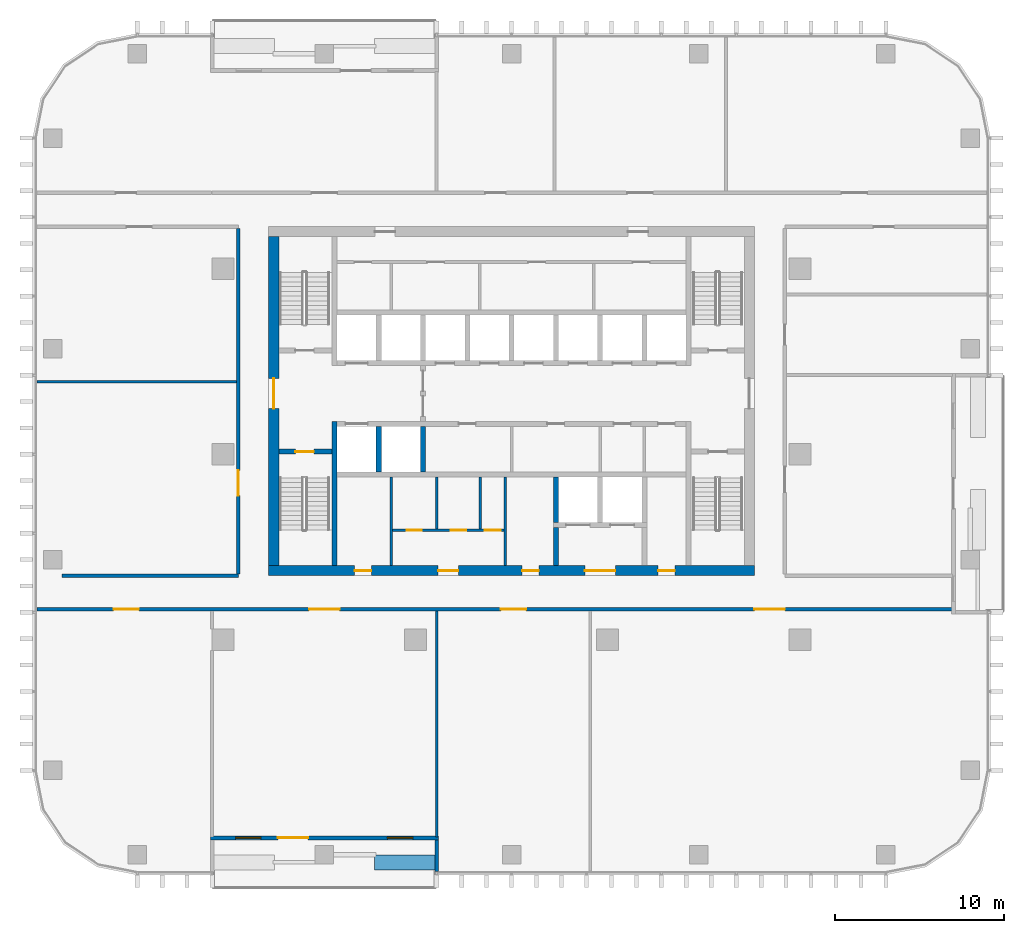
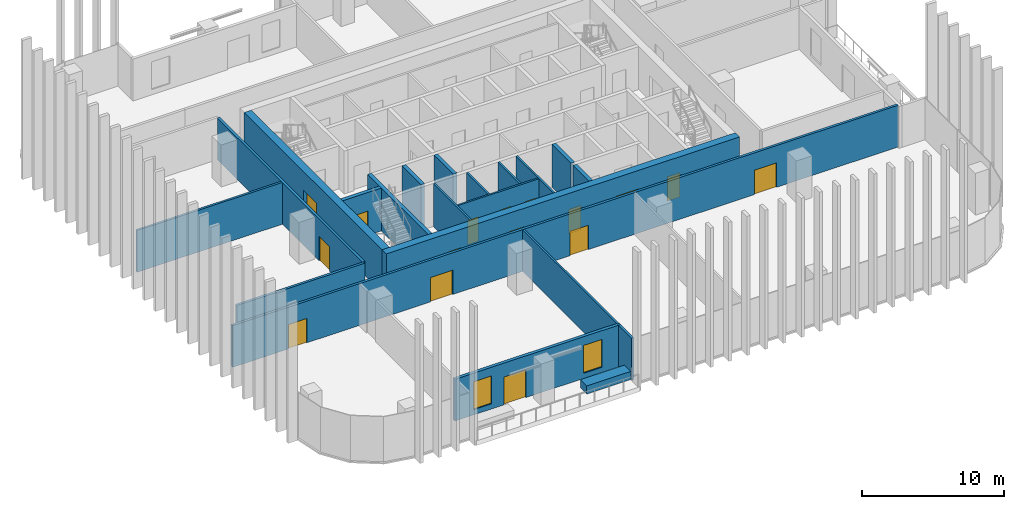
# One storey, part 7 of 15: 21 walls, 16 doors, 2 windows, 18 openings.
"""IFC4 building model written with IfcOpenShell, lengths in metres."""

from ifc_helpers import new_model, si_unit, direction, frame, frame_2d, origin, place, context, subcontext, project, spatial, rectangle, extrude, material, layer, layer_set, type_object, element, fill, save


model = new_model("IFC4")

# Units and contexts
model_context = context("Model", 3, precision=1e-05, world=origin(), true_north=direction((0.0, 1.0)))
body_context = subcontext(model_context, "Body", "Model", "MODEL_VIEW")
ifc_project = project(units=[si_unit("LENGTHUNIT", "METRE"), si_unit("AREAUNIT", "SQUARE_METRE"), si_unit("VOLUMEUNIT", "CUBIC_METRE"), si_unit("PLANEANGLEUNIT", "RADIAN"), si_unit("MASSUNIT", "GRAM", prefix="KILO")], contexts=[model_context])

# Site, building, storey
site_placement = place(None, origin())
site = spatial("IfcSite", under=ifc_project, at=site_placement, CompositionType="ELEMENT")
building_placement = place(site_placement, origin())
building = spatial("IfcBuilding", under=site, at=building_placement, Name="Mopane Tessera Tower", CompositionType="ELEMENT")
storey_placement = place(building_placement, frame((0.0, 0.0, 211.0)))
storey = spatial("IfcBuildingStorey", under=building, at=storey_placement, Name="L44", CompositionType="ELEMENT", Elevation=211.0)

# Wall
ifc_material_1 = material(Name="Fire-rated gypsum board partition")
ifc_layer_1 = layer(ifc_material_1, 0.14990234375)
ifc_layer_set_1 = layer_set([ifc_layer_1], Name="Fire-rated gypsum board partition")
wall_type_1 = type_object("IfcWallType", Name="Core room partition 150 mm", PredefinedType="PARTITIONING", material=ifc_layer_set_1)
wall_1_placement = place(storey_placement, frame((-7.125, -6.60009765625, 0.0), z_axis=(0.0, 0.0, 1.0), x_axis=(0.0, 1.0, 0.0)))
element("IfcWall", 1, at=wall_1_placement, inside=storey, type_object=wall_type_1, Name="L44 Room partition", PredefinedType="PARTITIONING", context=body_context, shape_type="SweptSolid", body=[
    extrude(rectangle(XDim=5.25, YDim=0.14990234375, at=frame_2d((2.625, 0.0))), origin(), (0.0, 0.0, 1.0), 3.699951171875),
])

# Wall, openings, doors
wall_2_placement = place(storey_placement, frame((-7.050048828125, -4.5, 0.0), z_axis=(0.0, 0.0, 1.0), x_axis=(1.0, 0.0, 0.0)))
wall_2 = element("IfcWall", 2, at=wall_2_placement, inside=storey, type_object=wall_type_1, Name="L44 WC partition", PredefinedType="PARTITIONING", context=body_context, shape_type="SweptSolid", body=[
    extrude(rectangle(XDim=6.60009765625, YDim=0.14990234375, at=frame_2d((3.300048828125, 0.0))), origin(), (0.0, 0.0, 1.0), 3.699951171875),
])
opening_1_placement = place(wall_2_placement, frame((0.824951171875, 0.0, 0.0)))
opening_1 = element("IfcOpeningElement", 3, at=opening_1_placement, cuts=wall_2, Name="Opening WD1", PredefinedType="OPENING", context=body_context, shape_type="SweptSolid", body=[
    extrude(rectangle(XDim=0.89990234375, YDim=2.10009765625, at=frame_2d((0.449951171875, 1.050048828125))), frame((0.0, 0.0869140625, 0.0), z_axis=(0.0, -1.0, 0.0), x_axis=(1.0, 0.0, 0.0)), (0.0, 0.0, 1.0), 0.173828125),
])
opening_2_placement = place(wall_2_placement, frame((3.45751953125, 0.0, 0.0)))
opening_2 = element("IfcOpeningElement", 4, at=opening_2_placement, cuts=wall_2, Name="Opening WD1", PredefinedType="OPENING", context=body_context, shape_type="SweptSolid", body=[
    extrude(rectangle(XDim=0.89990234375, YDim=2.10009765625, at=frame_2d((0.449951171875, 1.050048828125))), frame((0.0, 0.0869140625, 0.0), z_axis=(0.0, -1.0, 0.0), x_axis=(1.0, 0.0, 0.0)), (0.0, 0.0, 1.0), 0.173828125),
])
opening_3_placement = place(wall_2_placement, frame((5.45751953125, 0.0, 0.0)))
opening_3 = element("IfcOpeningElement", 5, at=opening_3_placement, cuts=wall_2, Name="Opening WD2", PredefinedType="OPENING", context=body_context, shape_type="SweptSolid", body=[
    extrude(rectangle(XDim=0.949951171875, YDim=2.10009765625, at=frame_2d((0.47509765625, 1.050048828125))), frame((0.0, 0.0869140625, 0.0), z_axis=(0.0, -1.0, 0.0), x_axis=(1.0, 0.0, 0.0)), (0.0, 0.0, 1.0), 0.173828125),
])
ifc_material_2 = material(Name="Timber door", Category="wood")
door_type_1 = type_object("IfcDoorType", Name="Accessible WC door 950 x 2100", OperationType="SINGLE_SWING_LEFT", PredefinedType="DOOR", material=ifc_material_2)
door_1_placement = place(opening_3_placement, origin())
door_1 = element("IfcDoor", 6, at=door_1_placement, inside=storey, type_object=door_type_1, Name="L44 Accessible WC door", OperationType="SINGLE_SWING_LEFT", OverallHeight=2.10009765625, OverallWidth=0.949951171875, PredefinedType="DOOR", context=body_context, shape_type="SweptSolid", body=[
    extrude(rectangle(XDim=0.949951171875, YDim=2.10009765625, at=frame_2d((0.47509765625, 1.050048828125))), frame((0.0, 0.02490234375, 0.0), z_axis=(0.0, -1.0, 0.0), x_axis=(1.0, 0.0, 0.0)), (0.0, 0.0, 1.0), 0.050048828125),
])
fill(opening_3, door_1)
ifc_material_3 = material(Name="Timber door", Category="wood")
door_type_2 = type_object("IfcDoorType", Name="WC cubicle door 900 x 2100", OperationType="SINGLE_SWING_LEFT", PredefinedType="DOOR", material=ifc_material_3)
door_2_placement = place(opening_1_placement, origin())
door_2 = element("IfcDoor", 7, at=door_2_placement, inside=storey, type_object=door_type_2, Name="L44 Men's WC door", OperationType="SINGLE_SWING_LEFT", OverallHeight=2.10009765625, OverallWidth=0.89990234375, PredefinedType="DOOR", context=body_context, shape_type="SweptSolid", body=[
    extrude(rectangle(XDim=0.89990234375, YDim=2.10009765625, at=frame_2d((0.449951171875, 1.050048828125))), frame((0.0, 0.02490234375, 0.0), z_axis=(0.0, -1.0, 0.0), x_axis=(1.0, 0.0, 0.0)), (0.0, 0.0, 1.0), 0.050048828125),
])
fill(opening_1, door_2)
door_3_placement = place(opening_2_placement, origin())
door_3 = element("IfcDoor", 8, at=door_3_placement, inside=storey, type_object=door_type_2, Name="L44 Women's WC door", OperationType="SINGLE_SWING_LEFT", OverallHeight=2.10009765625, OverallWidth=0.89990234375, PredefinedType="DOOR", context=body_context, shape_type="SweptSolid", body=[
    extrude(rectangle(XDim=0.89990234375, YDim=2.10009765625, at=frame_2d((0.449951171875, 1.050048828125))), frame((0.0, 0.02490234375, 0.0), z_axis=(0.0, -1.0, 0.0), x_axis=(1.0, 0.0, 0.0)), (0.0, 0.0, 1.0), 0.050048828125),
])
fill(opening_2, door_3)

# Walls
for number, where, z_axis, x_axis, name in (
    (9, (-4.425048828125, -4.425048828125, 0.0), (0.0, 0.0, 1.0), (0.0, 1.0, 0.0), "L44 WC partition"),
    (10, (-1.860107421875, -4.425048828125, 0.0), (0.0, 0.0, 1.0), (0.0, 1.0, 0.0), "L44 WC partition"),
):
    element("IfcWall", number, at=place(storey_placement, frame(where, z_axis=z_axis, x_axis=x_axis)), inside=storey, type_object=wall_type_1, Name=name, PredefinedType="PARTITIONING", context=body_context, shape_type="SweptSolid", body=[
        extrude(rectangle(XDim=3.074951171875, YDim=0.14990234375, at=frame_2d((1.53759765625, 0.0))), origin(), (0.0, 0.0, 1.0), 3.699951171875),
    ])
wall_3_placement = place(storey_placement, frame((-0.375, -6.60009765625, 0.0), z_axis=(0.0, 0.0, 1.0), x_axis=(0.0, 1.0, 0.0)))
element("IfcWall", 11, at=wall_3_placement, inside=storey, type_object=wall_type_1, Name="L44 Room partition", PredefinedType="PARTITIONING", context=body_context, shape_type="SweptSolid", body=[
    extrude(rectangle(XDim=5.25, YDim=0.14990234375, at=frame_2d((2.625, 0.0))), origin(), (0.0, 0.0, 1.0), 3.699951171875),
])

# Wall, openings, doors
ifc_material_4 = material(Name="Concrete C70/85", Category="concrete")
ifc_layer_2 = layer(ifc_material_4, 0.60009765625)
ifc_layer_set_2 = layer_set([ifc_layer_2], Name="Concrete C70/85")
wall_type_2 = type_object("IfcWallType", Name="Core shear wall 600 mm", PredefinedType="SHEAR", material=ifc_layer_set_2)
wall_4_placement = place(storey_placement, frame((-14.39990234375, -6.89990234375, 0.0), z_axis=(0.0, 0.0, 1.0), x_axis=(1.0, 0.0, 0.0)))
wall_4 = element("IfcWall", 12, at=wall_4_placement, inside=storey, type_object=wall_type_2, Name="L44 Core wall south", PredefinedType="SHEAR", context=body_context, shape_type="SweptSolid", body=[
    extrude(rectangle(XDim=28.7998046875, YDim=0.60009765625, at=frame_2d((14.39990234375, 0.0))), origin(), (0.0, 0.0, 1.0), 3.699951171875),
])
opening_4_placement = place(wall_4_placement, frame((5.08740234375, 0.0, 0.0)))
opening_4 = element("IfcOpeningElement", 13, at=opening_4_placement, cuts=wall_4, Name="Opening RD1", PredefinedType="OPENING", context=body_context, shape_type="SweptSolid", body=[
    extrude(rectangle(XDim=1.0, YDim=2.10009765625, at=frame_2d((0.5, 1.050048828125))), frame((0.0, 0.31201171875, 0.0), z_axis=(0.0, -1.0, 0.0), x_axis=(1.0, 0.0, 0.0)), (0.0, 0.0, 1.0), 0.6240234375),
])
opening_5_placement = place(wall_4_placement, frame((10.050048828125, 0.0, 0.0)))
opening_5 = element("IfcOpeningElement", 14, at=opening_5_placement, cuts=wall_4, Name="Opening WD3", PredefinedType="OPENING", context=body_context, shape_type="SweptSolid", body=[
    extrude(rectangle(XDim=1.199951171875, YDim=2.10009765625, at=frame_2d((0.60009765625, 1.050048828125))), frame((0.0, 0.31201171875, 0.0), z_axis=(0.0, -1.0, 0.0), x_axis=(1.0, 0.0, 0.0)), (0.0, 0.0, 1.0), 0.6240234375),
])
opening_6_placement = place(wall_4_placement, frame((15.02490234375, 0.0, 0.0)))
opening_6 = element("IfcOpeningElement", 15, at=opening_6_placement, cuts=wall_4, Name="Opening RD1", PredefinedType="OPENING", context=body_context, shape_type="SweptSolid", body=[
    extrude(rectangle(XDim=1.0, YDim=2.10009765625, at=frame_2d((0.5, 1.050048828125))), frame((0.0, 0.31201171875, 0.0), z_axis=(0.0, -1.0, 0.0), x_axis=(1.0, 0.0, 0.0)), (0.0, 0.0, 1.0), 0.6240234375),
])
opening_7_placement = place(wall_4_placement, frame((18.75, 0.0, 0.0)))
opening_7 = element("IfcOpeningElement", 16, at=opening_7_placement, cuts=wall_4, Name="Opening SD2", PredefinedType="OPENING", context=body_context, shape_type="SweptSolid", body=[
    extrude(rectangle(XDim=1.800048828125, YDim=2.10009765625, at=frame_2d((0.89990234375, 1.050048828125))), frame((0.0, 0.31201171875, 0.0), z_axis=(0.0, -1.0, 0.0), x_axis=(1.0, 0.0, 0.0)), (0.0, 0.0, 1.0), 0.6240234375),
])
opening_8_placement = place(wall_4_placement, frame((23.08740234375, 0.0, 0.0)))
opening_8 = element("IfcOpeningElement", 17, at=opening_8_placement, cuts=wall_4, Name="Opening RD1", PredefinedType="OPENING", context=body_context, shape_type="SweptSolid", body=[
    extrude(rectangle(XDim=1.0, YDim=2.10009765625, at=frame_2d((0.5, 1.050048828125))), frame((0.0, 0.31201171875, 0.0), z_axis=(0.0, -1.0, 0.0), x_axis=(1.0, 0.0, 0.0)), (0.0, 0.0, 1.0), 0.6240234375),
])
ifc_material_5 = material(Name="Steel fire door", Category="steel")
door_type_3 = type_object("IfcDoorType", Name="Core entrance double door 1800 x 2100", OperationType="DOUBLE_DOOR_SINGLE_SWING", PredefinedType="DOOR", material=ifc_material_5)
door_4_placement = place(opening_7_placement, origin())
door_4 = element("IfcDoor", 18, at=door_4_placement, inside=storey, type_object=door_type_3, Name="L44 Service lobby door", OperationType="DOUBLE_DOOR_SINGLE_SWING", OverallHeight=2.10009765625, OverallWidth=1.800048828125, PredefinedType="DOOR", context=body_context, shape_type="SweptSolid", body=[
    extrude(rectangle(XDim=1.800048828125, YDim=2.10009765625, at=frame_2d((0.89990234375, 1.050048828125))), frame((0.0, 0.02490234375, 0.0), z_axis=(0.0, -1.0, 0.0), x_axis=(1.0, 0.0, 0.0)), (0.0, 0.0, 1.0), 0.050048828125),
])
fill(opening_7, door_4)
ifc_material_6 = material(Name="Timber door", Category="wood")
door_type_4 = type_object("IfcDoorType", Name="Core room door 1000 x 2100", OperationType="SINGLE_SWING_LEFT", PredefinedType="DOOR", material=ifc_material_6)
door_5_placement = place(opening_4_placement, origin())
door_5 = element("IfcDoor", 19, at=door_5_placement, inside=storey, type_object=door_type_4, Name="L44 Room door", OperationType="SINGLE_SWING_LEFT", OverallHeight=2.10009765625, OverallWidth=1.0, PredefinedType="DOOR", context=body_context, shape_type="SweptSolid", body=[
    extrude(rectangle(XDim=1.0, YDim=2.10009765625, at=frame_2d((0.5, 1.050048828125))), frame((0.0, 0.02490234375, 0.0), z_axis=(0.0, -1.0, 0.0), x_axis=(1.0, 0.0, 0.0)), (0.0, 0.0, 1.0), 0.050048828125),
])
fill(opening_4, door_5)
door_6_placement = place(opening_6_placement, origin())
door_6 = element("IfcDoor", 20, at=door_6_placement, inside=storey, type_object=door_type_4, Name="L44 Room door", OperationType="SINGLE_SWING_LEFT", OverallHeight=2.10009765625, OverallWidth=1.0, PredefinedType="DOOR", context=body_context, shape_type="SweptSolid", body=[
    extrude(rectangle(XDim=1.0, YDim=2.10009765625, at=frame_2d((0.5, 1.050048828125))), frame((0.0, 0.02490234375, 0.0), z_axis=(0.0, -1.0, 0.0), x_axis=(1.0, 0.0, 0.0)), (0.0, 0.0, 1.0), 0.050048828125),
])
fill(opening_6, door_6)
door_7_placement = place(opening_8_placement, origin())
door_7 = element("IfcDoor", 21, at=door_7_placement, inside=storey, type_object=door_type_4, Name="L44 Room door", OperationType="SINGLE_SWING_LEFT", OverallHeight=2.10009765625, OverallWidth=1.0, PredefinedType="DOOR", context=body_context, shape_type="SweptSolid", body=[
    extrude(rectangle(XDim=1.0, YDim=2.10009765625, at=frame_2d((0.5, 1.050048828125))), frame((0.0, 0.02490234375, 0.0), z_axis=(0.0, -1.0, 0.0), x_axis=(1.0, 0.0, 0.0)), (0.0, 0.0, 1.0), 0.050048828125),
])
fill(opening_8, door_7)
ifc_material_7 = material(Name="Timber door", Category="wood")
door_type_5 = type_object("IfcDoorType", Name="WC lobby door 1200 x 2100", OperationType="SINGLE_SWING_LEFT", PredefinedType="DOOR", material=ifc_material_7)
door_8_placement = place(opening_5_placement, origin())
door_8 = element("IfcDoor", 22, at=door_8_placement, inside=storey, type_object=door_type_5, Name="L44 WC lobby door", OperationType="SINGLE_SWING_LEFT", OverallHeight=2.10009765625, OverallWidth=1.199951171875, PredefinedType="DOOR", context=body_context, shape_type="SweptSolid", body=[
    extrude(rectangle(XDim=1.199951171875, YDim=2.10009765625, at=frame_2d((0.60009765625, 1.050048828125))), frame((0.0, 0.02490234375, 0.0), z_axis=(0.0, -1.0, 0.0), x_axis=(1.0, 0.0, 0.0)), (0.0, 0.0, 1.0), 0.050048828125),
])
fill(opening_5, door_8)

# Wall, opening, door
wall_5_placement = place(storey_placement, frame((-14.10009765625, -6.60009765625, 0.0), z_axis=(0.0, 0.0, 1.0), x_axis=(0.0, 1.0, 0.0)))
wall_5 = element("IfcWall", 23, at=wall_5_placement, inside=storey, type_object=wall_type_2, Name="L44 Core wall west", PredefinedType="SHEAR", context=body_context, shape_type="SweptSolid", body=[
    extrude(rectangle(XDim=19.5, YDim=0.60009765625, at=frame_2d((9.75, 0.0))), origin(), (0.0, 0.0, 1.0), 3.699951171875),
])
opening_9_placement = place(wall_5_placement, frame((9.300048828125, 0.0, 0.0)))
opening_9 = element("IfcOpeningElement", 24, at=opening_9_placement, cuts=wall_5, Name="Opening SD2", PredefinedType="OPENING", context=body_context, shape_type="SweptSolid", body=[
    extrude(rectangle(XDim=1.800048828125, YDim=2.10009765625, at=frame_2d((0.89990234375, 1.050048828125))), frame((0.0, 0.31201171875, 0.0), z_axis=(0.0, -1.0, 0.0), x_axis=(1.0, 0.0, 0.0)), (0.0, 0.0, 1.0), 0.6240234375),
])
door_9_placement = place(opening_9_placement, origin())
door_9 = element("IfcDoor", 25, at=door_9_placement, inside=storey, type_object=door_type_3, Name="L44 Core entrance door west", OperationType="DOUBLE_DOOR_SINGLE_SWING", OverallHeight=2.10009765625, OverallWidth=1.800048828125, PredefinedType="DOOR", context=body_context, shape_type="SweptSolid", body=[
    extrude(rectangle(XDim=1.800048828125, YDim=2.10009765625, at=frame_2d((0.89990234375, 1.050048828125))), frame((0.0, 0.02490234375, 0.0), z_axis=(0.0, -1.0, 0.0), x_axis=(1.0, 0.0, 0.0)), (0.0, 0.0, 1.0), 0.050048828125),
])
fill(opening_9, door_9)

# Walls
ifc_material_8 = material(Name="Concrete C60/75", Category="concrete")
ifc_layer_3 = layer(ifc_material_8, 0.300048828125)
ifc_layer_set_3 = layer_set([ifc_layer_3], Name="Concrete C60/75")
wall_type_3 = type_object("IfcWallType", Name="Core spine wall 300 mm", PredefinedType="SHEAR", material=ifc_layer_set_3)
wall_6_placement = place(storey_placement, frame((-10.5, -6.60009765625, 0.0), z_axis=(0.0, 0.0, 1.0), x_axis=(0.0, 1.0, 0.0)))
element("IfcWall", 26, at=wall_6_placement, inside=storey, type_object=wall_type_3, Name="L44 Core spine wall", PredefinedType="SHEAR", context=body_context, shape_type="SweptSolid", body=[
    extrude(rectangle(XDim=8.550048828125, YDim=0.300048828125, at=frame_2d((4.27490234375, 0.0))), origin(), (0.0, 0.0, 1.0), 3.699951171875),
])
ifc_material_9 = material(Name="Gypsum board on staggered steel studs, double layer each face, acoustic mineral wool infill", Category="steel")
ifc_layer_4 = layer(ifc_material_9, 0.175048828125)
ifc_layer_set_4 = layer_set([ifc_layer_4], Name="Gypsum board on staggered steel studs, double layer each face, acoustic mineral wool infill")
wall_type_4 = type_object("IfcWallType", Name="Gypsum board acoustic partition 175, rated EI 60", PredefinedType="PARTITIONING", material=ifc_layer_set_4)
wall_7_placement = place(storey_placement, frame((-28.14990234375, 4.300048828125, 0.0), z_axis=(0.0, 0.0, 1.0), x_axis=(1.0, 0.0, 0.0)))
element("IfcWall", 27, at=wall_7_placement, inside=storey, type_object=wall_type_4, Name="Partition L44:003", PredefinedType="PARTITIONING", context=body_context, shape_type="SweptSolid", body=[
    extrude(rectangle(XDim=11.849853515625, YDim=0.175048828125, at=frame_2d((5.9248046875, 0.0))), origin(), (0.0, 0.0, 1.0), 3.60009765625),
])

# Wall, openings, doors
ifc_material_10 = material(Name="Gypsum board on steel studs, two layers each face, mineral wool infill", Category="steel")
ifc_layer_5 = layer(ifc_material_10, 0.199951171875)
ifc_layer_set_5 = layer_set([ifc_layer_5], Name="Gypsum board on steel studs, two layers each face, mineral wool infill")
wall_type_5 = type_object("IfcWallType", Name="Gypsum board corridor wall 200, rated EI 60", PredefinedType="PARTITIONING", material=ifc_layer_set_5)
wall_8_placement = place(storey_placement, frame((-28.14990234375, -9.199951171875, 0.0), z_axis=(0.0, 0.0, 1.0), x_axis=(1.0, 0.0, 0.0)))
wall_8 = element("IfcWall", 28, at=wall_8_placement, inside=storey, type_object=wall_type_5, Name="Partition L44:000", PredefinedType="PARTITIONING", context=body_context, shape_type="SweptSolid", body=[
    extrude(rectangle(XDim=54.2998046875, YDim=0.199951171875, at=frame_2d((27.14990234375, 0.0))), origin(), (0.0, 0.0, 1.0), 3.60009765625),
])
opening_10_placement = place(wall_8_placement, frame((42.554931640625, 0.0, 0.0)))
opening_10 = element("IfcOpeningElement", 29, at=opening_10_placement, cuts=wall_8, Name="Opening L44-04", PredefinedType="OPENING", context=body_context, shape_type="SweptSolid", body=[
    extrude(rectangle(XDim=1.800048828125, YDim=2.10009765625, at=frame_2d((0.89990234375, 1.050048828125))), frame((0.0, 0.112060546875, 0.0), z_axis=(0.0, -1.0, 0.0), x_axis=(1.0, 0.0, 0.0)), (0.0, 0.0, 1.0), 0.223876953125),
])
opening_11_placement = place(wall_8_placement, frame((27.510009765625, 0.0, 0.0)))
opening_11 = element("IfcOpeningElement", 30, at=opening_11_placement, cuts=wall_8, Name="Opening L44-07", PredefinedType="OPENING", context=body_context, shape_type="SweptSolid", body=[
    extrude(rectangle(XDim=1.5, YDim=2.10009765625, at=frame_2d((0.75, 1.050048828125))), frame((0.0, 0.112060546875, 0.0), z_axis=(0.0, -1.0, 0.0), x_axis=(1.0, 0.0, 0.0)), (0.0, 0.0, 1.0), 0.223876953125),
])
opening_12_placement = place(wall_8_placement, frame((16.14990234375, 0.0, 0.0)))
opening_12 = element("IfcOpeningElement", 31, at=opening_12_placement, cuts=wall_8, Name="Opening L44-08", PredefinedType="OPENING", context=body_context, shape_type="SweptSolid", body=[
    extrude(rectangle(XDim=1.800048828125, YDim=2.10009765625, at=frame_2d((0.89990234375, 1.050048828125))), frame((0.0, 0.112060546875, 0.0), z_axis=(0.0, -1.0, 0.0), x_axis=(1.0, 0.0, 0.0)), (0.0, 0.0, 1.0), 0.223876953125),
])
opening_13_placement = place(wall_8_placement, frame((4.544921875, 0.0, 0.0)))
opening_13 = element("IfcOpeningElement", 32, at=opening_13_placement, cuts=wall_8, Name="Opening L44-11", PredefinedType="OPENING", context=body_context, shape_type="SweptSolid", body=[
    extrude(rectangle(XDim=1.5, YDim=2.10009765625, at=frame_2d((0.75, 1.050048828125))), frame((0.0, 0.112060546875, 0.0), z_axis=(0.0, -1.0, 0.0), x_axis=(1.0, 0.0, 0.0)), (0.0, 0.0, 1.0), 0.223876953125),
])
ifc_material_11 = material(Name="Timber veneered steel-framed fire door", Category="steel")
door_type_6 = type_object("IfcDoorType", Name="Fire door pair FD60 1500 x 2100", OperationType="DOUBLE_DOOR_SINGLE_SWING", PredefinedType="DOOR", material=ifc_material_11)
door_10_placement = place(opening_11_placement, origin())
door_10 = element("IfcDoor", 33, at=door_10_placement, inside=storey, type_object=door_type_6, Name="Door L44-07", ObjectType="D17A", OperationType="DOUBLE_DOOR_SINGLE_SWING", OverallHeight=2.10009765625, OverallWidth=1.5, PredefinedType="DOOR", context=body_context, shape_type="SweptSolid", body=[
    extrude(rectangle(XDim=1.5, YDim=2.10009765625, at=frame_2d((0.75, 1.050048828125))), frame((0.0, 0.02490234375, 0.0), z_axis=(0.0, -1.0, 0.0), x_axis=(1.0, 0.0, 0.0)), (0.0, 0.0, 1.0), 0.050048828125),
])
fill(opening_11, door_10)
door_11_placement = place(opening_13_placement, origin())
door_11 = element("IfcDoor", 34, at=door_11_placement, inside=storey, type_object=door_type_6, Name="Door L44-11", ObjectType="D17A", OperationType="DOUBLE_DOOR_SINGLE_SWING", OverallHeight=2.10009765625, OverallWidth=1.5, PredefinedType="DOOR", context=body_context, shape_type="SweptSolid", body=[
    extrude(rectangle(XDim=1.5, YDim=2.10009765625, at=frame_2d((0.75, 1.050048828125))), frame((0.0, 0.02490234375, 0.0), z_axis=(0.0, -1.0, 0.0), x_axis=(1.0, 0.0, 0.0)), (0.0, 0.0, 1.0), 0.050048828125),
])
fill(opening_13, door_11)
ifc_material_12 = material(Name="Timber veneered steel-framed fire door", Category="steel")
door_type_7 = type_object("IfcDoorType", Name="Fire door pair FD60 1800 x 2100", OperationType="DOUBLE_DOOR_SINGLE_SWING", PredefinedType="DOOR", material=ifc_material_12)
door_12_placement = place(opening_10_placement, origin())
door_12 = element("IfcDoor", 35, at=door_12_placement, inside=storey, type_object=door_type_7, Name="Door L44-04", ObjectType="D20A", OperationType="DOUBLE_DOOR_SINGLE_SWING", OverallHeight=2.10009765625, OverallWidth=1.800048828125, PredefinedType="DOOR", context=body_context, shape_type="SweptSolid", body=[
    extrude(rectangle(XDim=1.800048828125, YDim=2.10009765625, at=frame_2d((0.89990234375, 1.050048828125))), frame((0.0, 0.02490234375, 0.0), z_axis=(0.0, -1.0, 0.0), x_axis=(1.0, 0.0, 0.0)), (0.0, 0.0, 1.0), 0.050048828125),
])
fill(opening_10, door_12)
door_13_placement = place(opening_12_placement, origin())
door_13 = element("IfcDoor", 36, at=door_13_placement, inside=storey, type_object=door_type_7, Name="Door L44-08", ObjectType="D20A", OperationType="DOUBLE_DOOR_SINGLE_SWING", OverallHeight=2.10009765625, OverallWidth=1.800048828125, PredefinedType="DOOR", context=body_context, shape_type="SweptSolid", body=[
    extrude(rectangle(XDim=1.800048828125, YDim=2.10009765625, at=frame_2d((0.89990234375, 1.050048828125))), frame((0.0, 0.02490234375, 0.0), z_axis=(0.0, -1.0, 0.0), x_axis=(1.0, 0.0, 0.0)), (0.0, 0.0, 1.0), 0.050048828125),
])
fill(opening_12, door_13)

# Wall
wall_9_placement = place(storey_placement, frame((-26.64990234375, -7.199951171875, 0.0), z_axis=(0.0, 0.0, 1.0), x_axis=(1.0, 0.0, 0.0)))
element("IfcWall", 37, at=wall_9_placement, inside=storey, type_object=wall_type_5, Name="Partition L44:001", PredefinedType="PARTITIONING", context=body_context, shape_type="SweptSolid", body=[
    extrude(rectangle(XDim=10.449951171875, YDim=0.199951171875, at=frame_2d((5.22509765625, 0.0))), origin(), (0.0, 0.0, 1.0), 3.60009765625),
])

# Wall, opening, door
wall_10_placement = place(storey_placement, frame((-16.199951171875, -7.10009765625, 0.0), z_axis=(0.0, 0.0, 1.0), x_axis=(0.0, 1.0, 0.0)))
wall_10 = element("IfcWall", 38, at=wall_10_placement, inside=storey, type_object=wall_type_5, Name="Partition L44:012", PredefinedType="PARTITIONING", context=body_context, shape_type="SweptSolid", body=[
    extrude(rectangle(XDim=20.5, YDim=0.199951171875, at=frame_2d((10.25, 0.0))), origin(), (0.0, 0.0, 1.0), 3.60009765625),
])
opening_14_placement = place(wall_10_placement, frame((4.64990234375, 0.0, 0.0)))
opening_14 = element("IfcOpeningElement", 39, at=opening_14_placement, cuts=wall_10, Name="Opening L44-12", PredefinedType="OPENING", context=body_context, shape_type="SweptSolid", body=[
    extrude(rectangle(XDim=1.5, YDim=2.10009765625, at=frame_2d((0.75, 1.050048828125))), frame((0.0, 0.112060546875, 0.0), z_axis=(0.0, -1.0, 0.0), x_axis=(1.0, 0.0, 0.0)), (0.0, 0.0, 1.0), 0.223876953125),
])
door_14_placement = place(opening_14_placement, origin())
door_14 = element("IfcDoor", 40, at=door_14_placement, inside=storey, type_object=door_type_6, Name="Door L44-12", ObjectType="D17A", OperationType="DOUBLE_DOOR_SINGLE_SWING", OverallHeight=2.10009765625, OverallWidth=1.5, PredefinedType="DOOR", context=body_context, shape_type="SweptSolid", body=[
    extrude(rectangle(XDim=1.5, YDim=2.10009765625, at=frame_2d((0.75, 1.050048828125))), frame((0.0, 0.02490234375, 0.0), z_axis=(0.0, -1.0, 0.0), x_axis=(1.0, 0.0, 0.0)), (0.0, 0.0, 1.0), 0.050048828125),
])
fill(opening_14, door_14)

# Wall
ifc_material_13 = material(Name="Gypsum board on steel studs, mineral wool infill", Category="steel")
ifc_layer_6 = layer(ifc_material_13, 0.14990234375)
ifc_layer_set_6 = layer_set([ifc_layer_6], Name="Gypsum board on steel studs, mineral wool infill")
wall_type_6 = type_object("IfcWallType", Name="Gypsum board partition 150, rated EI 60", PredefinedType="PARTITIONING", material=ifc_layer_set_6)
wall_11_placement = place(storey_placement, frame((-4.43994140625, -22.699951171875, 0.0), z_axis=(0.0, 0.0, 1.0), x_axis=(0.0, 1.0, 0.0)))
element("IfcWall", 41, at=wall_11_placement, inside=storey, type_object=wall_type_6, Name="Partition L44:013", PredefinedType="PARTITIONING", context=body_context, shape_type="SweptSolid", body=[
    extrude(rectangle(XDim=13.39990234375, YDim=0.14990234375, at=frame_2d((6.699951171875, 0.0))), origin(), (0.0, 0.0, 1.0), 3.60009765625),
])

# Wall, opening, door
ifc_material_14 = material(Name="Concrete C50/60", Category="concrete")
ifc_layer_7 = layer(ifc_material_14, 0.300048828125)
ifc_layer_set_7 = layer_set([ifc_layer_7], Name="Concrete C50/60")
wall_type_7 = type_object("IfcWallType", Name="Lift and stair shaft wall 300 mm", PredefinedType="SOLIDWALL", material=ifc_layer_set_7)
wall_12_placement = place(storey_placement, frame((-13.800048828125, 0.14990234375, 0.0), z_axis=(0.0, 0.0, 1.0), x_axis=(1.0, 0.0, 0.0)))
wall_12 = element("IfcWall", 42, at=wall_12_placement, inside=storey, type_object=wall_type_7, Name="L44 Stair enclosure wall", PredefinedType="SOLIDWALL", context=body_context, shape_type="SweptSolid", body=[
    extrude(rectangle(XDim=3.150146484375, YDim=0.300048828125, at=frame_2d((1.5751953125, 0.0))), origin(), (0.0, 0.0, 1.0), 3.699951171875),
])
opening_15_placement = place(wall_12_placement, frame((0.97509765625, 0.0, 0.0)))
opening_15 = element("IfcOpeningElement", 43, at=opening_15_placement, cuts=wall_12, Name="Opening SD1", PredefinedType="OPENING", context=body_context, shape_type="SweptSolid", body=[
    extrude(rectangle(XDim=1.10009765625, YDim=2.10009765625, at=frame_2d((0.550048828125, 1.050048828125))), frame((0.0, 0.162109375, 0.0), z_axis=(0.0, -1.0, 0.0), x_axis=(1.0, 0.0, 0.0)), (0.0, 0.0, 1.0), 0.323974609375),
])
ifc_material_15 = material(Name="Steel fire door", Category="steel")
door_type_8 = type_object("IfcDoorType", Name="Stair fire door 1100 x 2100", OperationType="SINGLE_SWING_LEFT", PredefinedType="DOOR", material=ifc_material_15)
door_15_placement = place(opening_15_placement, origin())
door_15 = element("IfcDoor", 44, at=door_15_placement, inside=storey, type_object=door_type_8, Name="L44 Stair door ST1", OperationType="SINGLE_SWING_LEFT", OverallHeight=2.10009765625, OverallWidth=1.10009765625, PredefinedType="DOOR", context=body_context, shape_type="SweptSolid", body=[
    extrude(rectangle(XDim=1.10009765625, YDim=2.10009765625, at=frame_2d((0.550048828125, 1.050048828125))), frame((0.0, 0.02490234375, 0.0), z_axis=(0.0, -1.0, 0.0), x_axis=(1.0, 0.0, 0.0)), (0.0, 0.0, 1.0), 0.050048828125),
])
fill(opening_15, door_15)

# Walls
for number, where, z_axis, x_axis, name in (
    (45, (-7.875, -1.050048828125, 0.0), (0.0, 0.0, 1.0), (0.0, 1.0, 0.0), "L44 Lift shaft wall"),
    (46, (-5.25, -1.050048828125, 0.0), (0.0, 0.0, 1.0), (0.0, 1.0, 0.0), "L44 Lift shaft wall"),
    (47, (2.625, -4.050048828125, 0.0), (0.0, 0.0, 1.0), (0.0, 1.0, 0.0), "L44 Lift shaft wall"),
):
    element("IfcWall", number, at=place(storey_placement, frame(where, z_axis=z_axis, x_axis=x_axis)), inside=storey, type_object=wall_type_7, Name=name, PredefinedType="SOLIDWALL", context=body_context, shape_type="SweptSolid", body=[
        extrude(rectangle(XDim=2.699951171875, YDim=0.300048828125, at=frame_2d((1.35009765625, 0.0))), origin(), (0.0, 0.0, 1.0), 3.699951171875),
    ])
ifc_material_16 = material(Name="Concrete C50/60", Category="concrete")
ifc_layer_8 = layer(ifc_material_16, 0.300048828125)
ifc_layer_set_8 = layer_set([ifc_layer_8], Name="Concrete C50/60")
wall_type_8 = type_object("IfcWallType", Name="Lobby and refuge room wall 300 mm", PredefinedType="SOLIDWALL", material=ifc_layer_set_8)
wall_13_placement = place(storey_placement, frame((2.625, -6.60009765625, 0.0), z_axis=(0.0, 0.0, 1.0), x_axis=(0.0, 1.0, 0.0)))
element("IfcWall", 48, at=wall_13_placement, inside=storey, type_object=wall_type_8, Name="L44 Service lobby wall", PredefinedType="SOLIDWALL", context=body_context, shape_type="SweptSolid", body=[
    extrude(rectangle(XDim=2.25, YDim=0.300048828125, at=frame_2d((1.125, 0.0))), origin(), (0.0, 0.0, 1.0), 3.699951171875),
])
ifc_material_17 = material(Name="Reinforced concrete C32/40 with waterproofing", Category="concrete")
ifc_layer_9 = layer(ifc_material_17, 0.89990234375)
ifc_layer_set_9 = layer_set([ifc_layer_9], Name="Reinforced concrete C32/40 with waterproofing")
wall_type_9 = type_object("IfcWallType", Name="Planter trough 3600 x 900", PredefinedType="STANDARD", material=ifc_layer_set_9)
wall_14_placement = place(storey_placement, frame((-8.139892578125, -24.199951171875, 0.0), z_axis=(0.0, 0.0, 1.0), x_axis=(1.0, 0.0, 0.0)))
element("IfcWall", 49, at=wall_14_placement, inside=storey, type_object=wall_type_9, Name="e:nw:L44:N1:pl1", PredefinedType="STANDARD", context=body_context, shape_type="SweptSolid", body=[
    extrude(rectangle(XDim=3.599853515625, YDim=0.89990234375, at=frame_2d((1.7998046875, 0.0))), origin(), (0.0, 0.0, 1.0), 0.699951171875),
])
ifc_material_18 = material(Name="Blockwork with glazed tile facing", Category="masonry")
ifc_layer_10 = layer(ifc_material_18, 0.199951171875)
ifc_layer_set_10 = layer_set([ifc_layer_10], Name="Blockwork with glazed tile facing")
wall_type_10 = type_object("IfcWallType", Name="Terrace cheek wall 200", PredefinedType="STANDARD", material=ifc_layer_set_10)
wall_15_placement = place(storey_placement, frame((-4.43994140625, -24.75, 0.0), z_axis=(0.0, 0.0, 1.0), x_axis=(0.0, 1.0, 0.0)))
element("IfcWall", 50, at=wall_15_placement, inside=storey, type_object=wall_type_10, Name="e:nw:L44:N1:cheekb", PredefinedType="STANDARD", context=body_context, shape_type="SweptSolid", body=[
    extrude(rectangle(XDim=1.875, YDim=0.199951171875, at=frame_2d((0.9375, 0.0))), origin(), (0.0, 0.0, 1.0), 3.60009765625),
])

# Wall, openings, windows, door
ifc_material_19 = material(Name="Blockwork with ultramarine glazed tile facing", Category="masonry")
ifc_layer_11 = layer(ifc_material_19, 0.25)
ifc_layer_set_11 = layer_set([ifc_layer_11], Name="Blockwork with ultramarine glazed tile facing")
wall_type_11 = type_object("IfcWallType", Name="Tile-clad external wall 250, ultramarine", PredefinedType="STANDARD", material=ifc_layer_set_11)
wall_16_placement = place(storey_placement, frame((-17.860107421875, -22.75, 0.0), z_axis=(0.0, 0.0, 1.0), x_axis=(1.0, 0.0, 0.0)))
wall_16 = element("IfcWall", 51, at=wall_16_placement, inside=storey, type_object=wall_type_11, Name="e:nw:L44:N1:back", PredefinedType="STANDARD", context=body_context, shape_type="SweptSolid", body=[
    extrude(rectangle(XDim=13.52001953125, YDim=0.25, at=frame_2d((6.760009765625, 0.0))), origin(), (0.0, 0.0, 1.0), 3.60009765625),
])
opening_16_placement = place(wall_16_placement, frame((1.5, 0.0, 0.449951171875)))
opening_16 = element("IfcOpeningElement", 52, at=opening_16_placement, cuts=wall_16, Name="Opening NW441A", PredefinedType="OPENING", context=body_context, shape_type="SweptSolid", body=[
    extrude(rectangle(XDim=1.5, YDim=2.39990234375, at=frame_2d((0.75, 1.199951171875))), frame((0.0, 0.136962890625, 0.0), z_axis=(0.0, -1.0, 0.0), x_axis=(1.0, 0.0, 0.0)), (0.0, 0.0, 1.0), 0.27392578125),
])
opening_17_placement = place(wall_16_placement, frame((4.0, 0.0, 0.0)))
opening_17 = element("IfcOpeningElement", 53, at=opening_17_placement, cuts=wall_16, Name="Opening ND441", PredefinedType="OPENING", context=body_context, shape_type="SweptSolid", body=[
    extrude(rectangle(XDim=1.800048828125, YDim=2.39990234375, at=frame_2d((0.89990234375, 1.199951171875))), frame((0.0, 0.136962890625, 0.0), z_axis=(0.0, -1.0, 0.0), x_axis=(1.0, 0.0, 0.0)), (0.0, 0.0, 1.0), 0.27392578125),
])
opening_18_placement = place(wall_16_placement, frame((10.5, 0.0, 0.449951171875)))
opening_18 = element("IfcOpeningElement", 54, at=opening_18_placement, cuts=wall_16, Name="Opening NW441B", PredefinedType="OPENING", context=body_context, shape_type="SweptSolid", body=[
    extrude(rectangle(XDim=1.5, YDim=2.39990234375, at=frame_2d((0.75, 1.199951171875))), frame((0.0, 0.136962890625, 0.0), z_axis=(0.0, -1.0, 0.0), x_axis=(1.0, 0.0, 0.0)), (0.0, 0.0, 1.0), 0.27392578125),
])
ifc_material_20 = material(Name="Clear laminated glass", Category="glass")
window_type = type_object("IfcWindowType", Name="Fixed window 1500 x 2400", PartitioningType="SINGLE_PANEL", PredefinedType="WINDOW", material=ifc_material_20)
window_1_placement = place(opening_16_placement, origin())
window_1 = element("IfcWindow", 55, at=window_1_placement, inside=storey, type_object=window_type, Name="e:nw:L44:N1:win0", OverallHeight=2.39990234375, OverallWidth=1.5, PartitioningType="SINGLE_PANEL", PredefinedType="WINDOW", context=body_context, shape_type="SweptSolid", body=[
    extrude(rectangle(XDim=1.5, YDim=2.39990234375, at=frame_2d((0.75, 1.199951171875))), frame((0.0, 0.030029296875, 0.0), z_axis=(0.0, -1.0, 0.0), x_axis=(1.0, 0.0, 0.0)), (0.0, 0.0, 1.0), 0.06005859375),
])
fill(opening_16, window_1)
window_2_placement = place(opening_18_placement, origin())
window_2 = element("IfcWindow", 56, at=window_2_placement, inside=storey, type_object=window_type, Name="e:nw:L44:N1:win2", OverallHeight=2.39990234375, OverallWidth=1.5, PartitioningType="SINGLE_PANEL", PredefinedType="WINDOW", context=body_context, shape_type="SweptSolid", body=[
    extrude(rectangle(XDim=1.5, YDim=2.39990234375, at=frame_2d((0.75, 1.199951171875))), frame((0.0, 0.030029296875, 0.0), z_axis=(0.0, -1.0, 0.0), x_axis=(1.0, 0.0, 0.0)), (0.0, 0.0, 1.0), 0.06005859375),
])
fill(opening_18, window_2)
ifc_material_21 = material(Name="Aluminium and clear glass", Category="aluminium")
door_type_9 = type_object("IfcDoorType", Name="Terrace double door 1800 x 2400", OperationType="DOUBLE_DOOR_SINGLE_SWING", PredefinedType="DOOR", material=ifc_material_21)
door_16_placement = place(opening_17_placement, origin())
door_16 = element("IfcDoor", 57, at=door_16_placement, inside=storey, type_object=door_type_9, Name="e:nw:L44:N1:door", ObjectType="D1", OperationType="DOUBLE_DOOR_SINGLE_SWING", OverallHeight=2.39990234375, OverallWidth=1.800048828125, PredefinedType="DOOR", context=body_context, shape_type="SweptSolid", body=[
    extrude(rectangle(XDim=1.800048828125, YDim=2.39990234375, at=frame_2d((0.89990234375, 1.199951171875))), frame((0.0, 0.02490234375, 0.0), z_axis=(0.0, -1.0, 0.0), x_axis=(1.0, 0.0, 0.0)), (0.0, 0.0, 1.0), 0.050048828125),
])
fill(opening_17, door_16)

save(model, "model.ifc")
